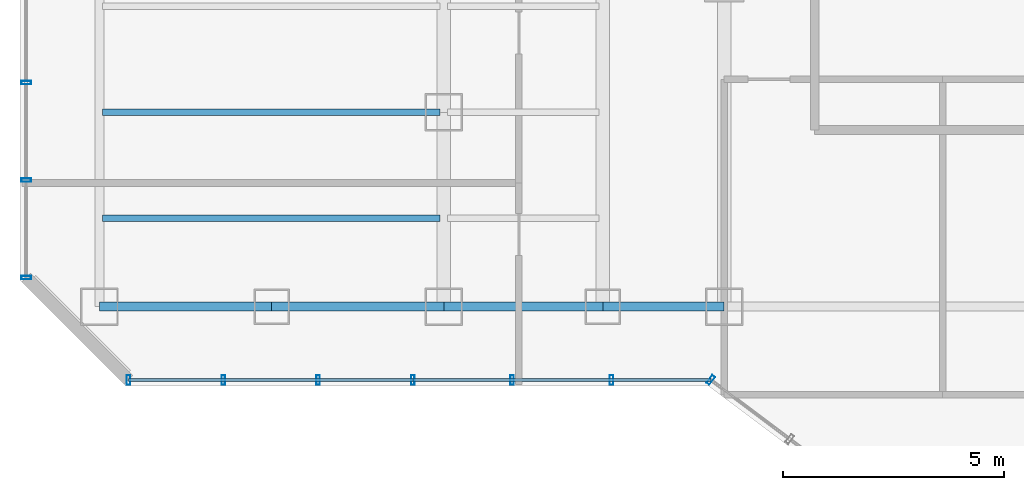
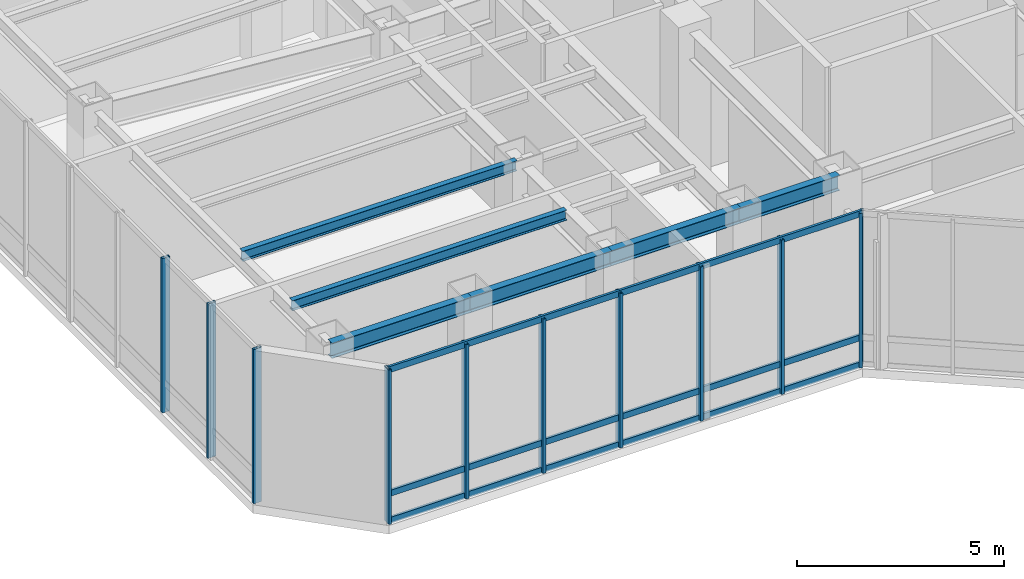
# One storey, part 5 of 30: 16 members, 6 beams, 4 elements without a shape of their own.
"""IFC4 building model written with IfcOpenShell, lengths in metres."""

from ifc_helpers import new_model, si_unit, direction, frame, origin, origin_2d, place, context, subcontext, project, spatial, hollow_rectangle, i_section, extrude, material, layer, layer_set, material_profile, profile_set, type_object, element, aggregate, save


model = new_model("IFC4")

# Units and contexts
model_context = context("Model", 3, precision=1e-05, world=origin(), true_north=direction((0.0, 1.0)))
body_context = subcontext(model_context, "Body", "Model", "MODEL_VIEW")
ifc_project = project(units=[si_unit("LENGTHUNIT", "METRE"), si_unit("AREAUNIT", "SQUARE_METRE"), si_unit("VOLUMEUNIT", "CUBIC_METRE"), si_unit("PLANEANGLEUNIT", "RADIAN"), si_unit("MASSUNIT", "GRAM", prefix="KILO")], contexts=[model_context])

# Site, building, storey
site_placement = place(None, origin())
site = spatial("IfcSite", under=ifc_project, at=site_placement, CompositionType="ELEMENT")
building_placement = place(site_placement, origin())
building = spatial("IfcBuilding", under=site, at=building_placement, Name="Hatsunagi Terrace Concourse", CompositionType="ELEMENT")
storey_placement = place(building_placement, frame((0.0, 0.0, 130.050048828125)))
storey = spatial("IfcBuildingStorey", under=building, at=storey_placement, Name="L34", CompositionType="ELEMENT", Elevation=130.050048828125)

# Curtain wall, member
ifc_material_1 = material(Name="Anodised Aluminium Alloy 6063-T5", Category="aluminium")
ifc_layer = layer(ifc_material_1, 0.199951171875)
ifc_layer_set = layer_set([ifc_layer], Name="SkyLobbyAtrium_CW05")
curtain_wall_type = type_object("IfcCurtainWallType", Name="SkyLobbyAtrium_CW05", PredefinedType="NOTDEFINED", material=ifc_layer_set)
curtain_wall_1_placement = place(storey_placement, origin())
curtain_wall_1 = element("IfcCurtainWall", 1, at=curtain_wall_1_placement, inside=storey, type_object=curtain_wall_type, Name="Unitised Curtain Wall CW-05 CW-L34-05", PredefinedType="NOTDEFINED")
ifc_material_2 = material(Name="Anodised Aluminium Alloy 6063-T5", Category="aluminium")
ifc_material_profile_1 = material_profile(ifc_material_2, hollow_rectangle(XDim=0.080078125, YDim=0.219970703125, WallThickness=0.0048828125, at=origin_2d()), Name="ALU-MUL-220x80x5")
ifc_profile_set_1 = profile_set([ifc_material_profile_1], Name="Anodised Aluminium Alloy 6063-T5")
member_type_1 = type_object("IfcMemberType", Name="CurtainWallMullion_Heavy_220x80", PredefinedType="MULLION", material=ifc_profile_set_1)
member_1_placement = place(storey_placement, frame((25.2470703125, 23.5400390625, 0.0), z_axis=(0.0, 0.0, 1.0), x_axis=(-0.800005211305, 0.599993051531, 0.0)))
member_1 = element("IfcMember", 2, at=member_1_placement, type_object=member_type_1, Name="Curtain Wall Mullion MUL-01", PredefinedType="MULLION", context=body_context, shape_type="SweptSolid", body=[
    extrude(hollow_rectangle(XDim=0.080078125, YDim=0.219970703125, WallThickness=0.0048828125, at=origin_2d()), origin(), (0.0, 0.0, 1.0), 4.550048828125),
])
aggregate(curtain_wall_1, [member_1])

# Curtain wall, members
curtain_wall_2_placement = place(storey_placement, origin())
curtain_wall_2 = element("IfcCurtainWall", 3, at=curtain_wall_2_placement, inside=storey, type_object=curtain_wall_type, Name="Unitised Curtain Wall CW-05 CW-L34-06", PredefinedType="NOTDEFINED")
member_2_placement = place(storey_placement, frame((22.998046875, 23.5400390625, 0.0), z_axis=(0.0, 0.0, 1.0), x_axis=(-1.0, 0.0, 0.0)))
member_2 = element("IfcMember", 4, at=member_2_placement, type_object=member_type_1, Name="Curtain Wall Mullion MUL-01", PredefinedType="MULLION", context=body_context, shape_type="SweptSolid", body=[
    extrude(hollow_rectangle(XDim=0.080078125, YDim=0.219970703125, WallThickness=0.0048828125, at=origin_2d()), origin(), (0.0, 0.0, 1.0), 4.550048828125),
])
member_3_placement = place(storey_placement, frame((20.7490234375, 23.5400390625, 0.0), z_axis=(0.0, 0.0, 1.0), x_axis=(-1.0, 0.0, 0.0)))
member_3 = element("IfcMember", 5, at=member_3_placement, type_object=member_type_1, Name="Curtain Wall Mullion MUL-01", PredefinedType="MULLION", context=body_context, shape_type="SweptSolid", body=[
    extrude(hollow_rectangle(XDim=0.080078125, YDim=0.219970703125, WallThickness=0.0048828125, at=origin_2d()), origin(), (0.0, 0.0, 1.0), 4.550048828125),
])
member_4_placement = place(storey_placement, frame((18.5, 23.5400390625, 0.0), z_axis=(0.0, 0.0, 1.0), x_axis=(-1.0, 0.0, 0.0)))
member_4 = element("IfcMember", 6, at=member_4_placement, type_object=member_type_1, Name="Curtain Wall Mullion MUL-01", PredefinedType="MULLION", context=body_context, shape_type="SweptSolid", body=[
    extrude(hollow_rectangle(XDim=0.080078125, YDim=0.219970703125, WallThickness=0.0048828125, at=origin_2d()), origin(), (0.0, 0.0, 1.0), 4.550048828125),
])

curtain_wall_3_placement = place(storey_placement, origin())
curtain_wall_3 = element("IfcCurtainWall", 7, at=curtain_wall_3_placement, inside=storey, type_object=curtain_wall_type, Name="Unitised Curtain Wall CW-05 CW-L34-07", PredefinedType="NOTDEFINED")
member_5_placement = place(storey_placement, frame((16.35302734375, 23.5400390625, 0.0), z_axis=(0.0, 0.0, 1.0), x_axis=(-1.0, 0.0, 0.0)))
member_5 = element("IfcMember", 8, at=member_5_placement, type_object=member_type_1, Name="Curtain Wall Mullion MUL-01", PredefinedType="MULLION", context=body_context, shape_type="SweptSolid", body=[
    extrude(hollow_rectangle(XDim=0.080078125, YDim=0.219970703125, WallThickness=0.0048828125, at=origin_2d()), origin(), (0.0, 0.0, 1.0), 4.550048828125),
])
member_6_placement = place(storey_placement, frame((14.205078125, 23.5400390625, 0.0), z_axis=(0.0, 0.0, 1.0), x_axis=(-1.0, 0.0, 0.0)))
member_6 = element("IfcMember", 9, at=member_6_placement, type_object=member_type_1, Name="Curtain Wall Mullion MUL-01", PredefinedType="MULLION", context=body_context, shape_type="SweptSolid", body=[
    extrude(hollow_rectangle(XDim=0.080078125, YDim=0.219970703125, WallThickness=0.0048828125, at=origin_2d()), origin(), (0.0, 0.0, 1.0), 4.550048828125),
])
member_7_placement = place(storey_placement, frame((12.05810546875, 23.5400390625, 0.0), z_axis=(0.0, 0.0, 1.0), x_axis=(-1.0, 0.0, 0.0)))
member_7 = element("IfcMember", 10, at=member_7_placement, type_object=member_type_1, Name="Curtain Wall Mullion MUL-01", PredefinedType="MULLION", context=body_context, shape_type="SweptSolid", body=[
    extrude(hollow_rectangle(XDim=0.080078125, YDim=0.219970703125, WallThickness=0.0048828125, at=origin_2d()), origin(), (0.0, 0.0, 1.0), 4.550048828125),
])

curtain_wall_4_placement = place(storey_placement, origin())
curtain_wall_4 = element("IfcCurtainWall", 11, at=curtain_wall_4_placement, inside=storey, type_object=curtain_wall_type, Name="Unitised Curtain Wall CW-05 CW-L34-09", PredefinedType="NOTDEFINED")
member_8_placement = place(storey_placement, frame((9.739990234375, 25.85791015625, 0.0), z_axis=(0.0, 0.0, 1.0), x_axis=(0.0, 1.0, 0.0)))
member_8 = element("IfcMember", 12, at=member_8_placement, type_object=member_type_1, Name="Curtain Wall Mullion MUL-01", PredefinedType="MULLION", context=body_context, shape_type="SweptSolid", body=[
    extrude(hollow_rectangle(XDim=0.080078125, YDim=0.219970703125, WallThickness=0.0048828125, at=origin_2d()), origin(), (0.0, 0.0, 1.0), 4.550048828125),
])
member_9_placement = place(storey_placement, frame((9.739990234375, 28.06591796875, 0.0), z_axis=(0.0, 0.0, 1.0), x_axis=(0.0, 1.0, 0.0)))
member_9 = element("IfcMember", 13, at=member_9_placement, type_object=member_type_1, Name="Curtain Wall Mullion MUL-01", PredefinedType="MULLION", context=body_context, shape_type="SweptSolid", body=[
    extrude(hollow_rectangle(XDim=0.080078125, YDim=0.219970703125, WallThickness=0.0048828125, at=origin_2d()), origin(), (0.0, 0.0, 1.0), 4.550048828125),
])
member_10_placement = place(storey_placement, frame((9.739990234375, 30.27490234375, 0.0), z_axis=(0.0, 0.0, 1.0), x_axis=(0.0, 1.0, 0.0)))
member_10 = element("IfcMember", 14, at=member_10_placement, type_object=member_type_1, Name="Curtain Wall Mullion MUL-01", PredefinedType="MULLION", context=body_context, shape_type="SweptSolid", body=[
    extrude(hollow_rectangle(XDim=0.080078125, YDim=0.219970703125, WallThickness=0.0048828125, at=origin_2d()), origin(), (0.0, 0.0, 1.0), 4.550048828125),
])
aggregate(curtain_wall_4, [member_8, member_9, member_10])

# Member
ifc_material_3 = material(Name="Anodised Aluminium Alloy 6063-T5", Category="aluminium")
ifc_material_profile_2 = material_profile(ifc_material_3, hollow_rectangle(XDim=0.070068359375, YDim=0.179931640625, WallThickness=0.00390625, at=origin_2d()), Name="ALU-TRN-180x70x4")
ifc_profile_set_2 = profile_set([ifc_material_profile_2], Name="Anodised Aluminium Alloy 6063-T5")
member_type_2 = type_object("IfcMemberType", Name="CurtainWallTransom_Heavy_180x70", PredefinedType="USERDEFINED", material=ifc_profile_set_2)
member_11_placement = place(storey_placement, frame((25.2470703125, 23.5400390625, 0.050048828125), z_axis=(-1.0, 0.0, 0.0), x_axis=(0.0, -1.0, 0.0)))
member_11 = element("IfcMember", 15, at=member_11_placement, type_object=member_type_2, Name="Curtain Wall Transom TRN-01", ObjectType="TRANSOM", PredefinedType="USERDEFINED", context=body_context, shape_type="SweptSolid", body=[
    extrude(hollow_rectangle(XDim=0.070068359375, YDim=0.179931640625, WallThickness=0.00390625, at=origin_2d()), origin(), (0.0, 0.0, 1.0), 6.7470703125),
])

member_12_placement = place(storey_placement, frame((25.2470703125, 23.5400390625, 0.849853515625), z_axis=(-1.0, 0.0, 0.0), x_axis=(0.0, -1.0, 0.0)))
member_12 = element("IfcMember", 16, at=member_12_placement, type_object=member_type_2, Name="Curtain Wall Transom TRN-01", ObjectType="TRANSOM", PredefinedType="USERDEFINED", context=body_context, shape_type="SweptSolid", body=[
    extrude(hollow_rectangle(XDim=0.070068359375, YDim=0.179931640625, WallThickness=0.00390625, at=origin_2d()), origin(), (0.0, 0.0, 1.0), 6.7470703125),
])

member_13_placement = place(storey_placement, frame((25.2470703125, 23.5400390625, 4.5), z_axis=(-1.0, 0.0, 0.0), x_axis=(0.0, -1.0, 0.0)))
member_13 = element("IfcMember", 17, at=member_13_placement, type_object=member_type_2, Name="Curtain Wall Transom TRN-01", ObjectType="TRANSOM", PredefinedType="USERDEFINED", context=body_context, shape_type="SweptSolid", body=[
    extrude(hollow_rectangle(XDim=0.070068359375, YDim=0.179931640625, WallThickness=0.00390625, at=origin_2d()), origin(), (0.0, 0.0, 1.0), 6.7470703125),
])

aggregate(curtain_wall_2, [member_2, member_3, member_4, member_11, member_12, member_13])

member_14_placement = place(storey_placement, frame((18.5, 23.5400390625, 0.050048828125), z_axis=(-1.0, 0.0, 0.0), x_axis=(0.0, -1.0, 0.0)))
member_14 = element("IfcMember", 18, at=member_14_placement, type_object=member_type_2, Name="Curtain Wall Transom TRN-01", ObjectType="TRANSOM", PredefinedType="USERDEFINED", context=body_context, shape_type="SweptSolid", body=[
    extrude(hollow_rectangle(XDim=0.070068359375, YDim=0.179931640625, WallThickness=0.00390625, at=origin_2d()), origin(), (0.0, 0.0, 1.0), 6.44189453125),
])

member_15_placement = place(storey_placement, frame((18.5, 23.5400390625, 0.849853515625), z_axis=(-1.0, 0.0, 0.0), x_axis=(0.0, -1.0, 0.0)))
member_15 = element("IfcMember", 19, at=member_15_placement, type_object=member_type_2, Name="Curtain Wall Transom TRN-01", ObjectType="TRANSOM", PredefinedType="USERDEFINED", context=body_context, shape_type="SweptSolid", body=[
    extrude(hollow_rectangle(XDim=0.070068359375, YDim=0.179931640625, WallThickness=0.00390625, at=origin_2d()), origin(), (0.0, 0.0, 1.0), 6.44189453125),
])

member_16_placement = place(storey_placement, frame((18.5, 23.5400390625, 4.5), z_axis=(-1.0, 0.0, 0.0), x_axis=(0.0, -1.0, 0.0)))
member_16 = element("IfcMember", 20, at=member_16_placement, type_object=member_type_2, Name="Curtain Wall Transom TRN-01", ObjectType="TRANSOM", PredefinedType="USERDEFINED", context=body_context, shape_type="SweptSolid", body=[
    extrude(hollow_rectangle(XDim=0.070068359375, YDim=0.179931640625, WallThickness=0.00390625, at=origin_2d()), origin(), (0.0, 0.0, 1.0), 6.44189453125),
])

aggregate(curtain_wall_3, [member_5, member_6, member_7, member_14, member_15, member_16])

# Beams
ifc_material_4 = material(Name="Steel SN490B", Category="steel")
ifc_material_profile_3 = material_profile(ifc_material_4, i_section(OverallWidth=0.14990234375, OverallDepth=0.300048828125, WebThickness=0.006591796875, FlangeThickness=0.009033203125, FilletRadius=0.010986328125, at=origin_2d()), Name="H-300x150x6.5x9")
ifc_profile_set_3 = profile_set([ifc_material_profile_3], Name="Steel SN490B")
beam_type_1 = type_object("IfcBeamType", Name="OfficeJoist_H_300x150", PredefinedType="JOIST", material=ifc_profile_set_3)
for number, where, z_axis, x_axis, name in (
    (21, (11.465087890625, 27.199951171875, 4.39990234375), (1.0, 0.0, 0.0), (0.0, 1.0, 0.0), "Beam J-03 J-L34-W-11-272"),
    (22, (11.465087890625, 29.60009765625, 4.39990234375), (1.0, 0.0, 0.0), (0.0, 1.0, 0.0), "Beam J-03 J-L34-W-11-296"),
):
    element("IfcBeam", number, at=place(storey_placement, frame(where, z_axis=z_axis, x_axis=x_axis)), inside=storey, type_object=beam_type_1, Name=name, PredefinedType="JOIST", context=body_context, shape_type="SweptSolid", body=[
        extrude(i_section(OverallWidth=0.14990234375, OverallDepth=0.300048828125, WebThickness=0.006591796875, FlangeThickness=0.009033203125, FilletRadius=0.010986328125, at=origin_2d()), origin(), (0.0, 0.0, 1.0), 7.64990234375),
    ])
ifc_material_5 = material(Name="Steel SN490B", Category="steel")
ifc_material_profile_4 = material_profile(ifc_material_5, i_section(OverallWidth=0.199951171875, OverallDepth=0.449951171875, WebThickness=0.009033203125, FlangeThickness=0.013916015625, FilletRadius=0.01611328125, at=origin_2d()), Name="H-450x200x9x14")
ifc_profile_set_4 = profile_set([ifc_material_profile_4], Name="Steel SN490B")
beam_type_2 = type_object("IfcBeamType", Name="PerimeterSpandrel_H_450x200", PredefinedType="SPANDREL", material=ifc_profile_set_4)
beam_1_placement = place(storey_placement, frame((11.39990234375, 25.199951171875, 4.324951171875), z_axis=(1.0, 0.0, 0.0), x_axis=(0.0, 1.0, 0.0)))
element("IfcBeam", 23, at=beam_1_placement, inside=storey, type_object=beam_type_2, Name="Beam SP-02 BM-L34-WS-11", PredefinedType="SPANDREL", context=body_context, shape_type="SweptSolid", body=[
    extrude(i_section(OverallWidth=0.199951171875, OverallDepth=0.449951171875, WebThickness=0.009033203125, FlangeThickness=0.013916015625, FilletRadius=0.01611328125, at=origin_2d()), origin(), (0.0, 0.0, 1.0), 3.900146484375),
])
beam_2_placement = place(storey_placement, frame((15.300048828125, 25.199951171875, 4.324951171875), z_axis=(1.0, 0.0, 0.0), x_axis=(0.0, 1.0, 0.0)))
element("IfcBeam", 24, at=beam_2_placement, inside=storey, type_object=beam_type_2, Name="Beam SP-02 BM-L34-WS-15", PredefinedType="SPANDREL", context=body_context, shape_type="SweptSolid", body=[
    extrude(i_section(OverallWidth=0.199951171875, OverallDepth=0.449951171875, WebThickness=0.009033203125, FlangeThickness=0.013916015625, FilletRadius=0.01611328125, at=origin_2d()), origin(), (0.0, 0.0, 1.0), 3.89990234375),
])
beam_3_placement = place(storey_placement, frame((19.199951171875, 25.199951171875, 4.324951171875), z_axis=(1.0, 0.0, 0.0), x_axis=(0.0, 1.0, 0.0)))
element("IfcBeam", 25, at=beam_3_placement, inside=storey, type_object=beam_type_2, Name="Beam SP-02 BM-L34-WS-19", PredefinedType="SPANDREL", context=body_context, shape_type="SweptSolid", body=[
    extrude(i_section(OverallWidth=0.199951171875, OverallDepth=0.449951171875, WebThickness=0.009033203125, FlangeThickness=0.013916015625, FilletRadius=0.01611328125, at=origin_2d()), origin(), (0.0, 0.0, 1.0), 3.60009765625),
])
beam_4_placement = place(storey_placement, frame((22.800048828125, 25.199951171875, 4.324951171875), z_axis=(1.0, 0.0, 0.0), x_axis=(0.0, 1.0, 0.0)))
element("IfcBeam", 26, at=beam_4_placement, inside=storey, type_object=beam_type_2, Name="Beam SP-02 BM-L34-WS-22", PredefinedType="SPANDREL", context=body_context, shape_type="SweptSolid", body=[
    extrude(i_section(OverallWidth=0.199951171875, OverallDepth=0.449951171875, WebThickness=0.009033203125, FlangeThickness=0.013916015625, FilletRadius=0.01611328125, at=origin_2d()), origin(), (0.0, 0.0, 1.0), 2.75),
])

save(model, "model.ifc")
